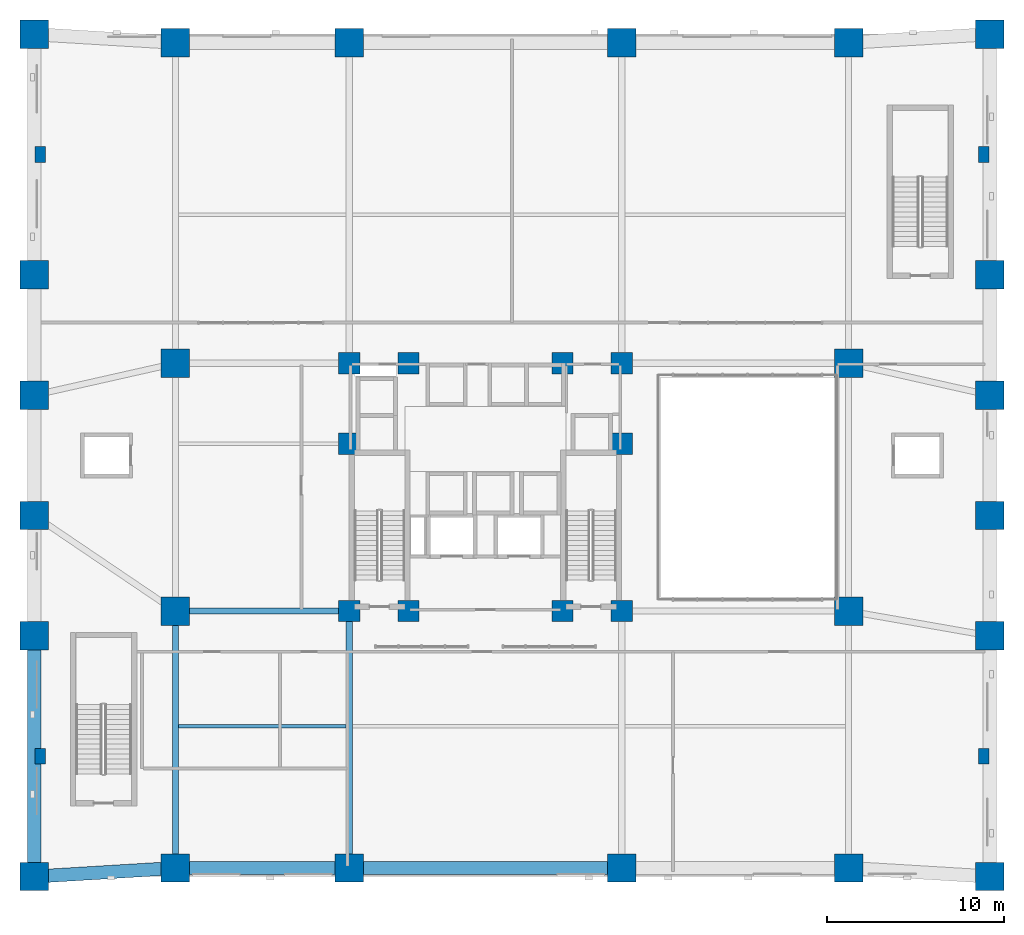
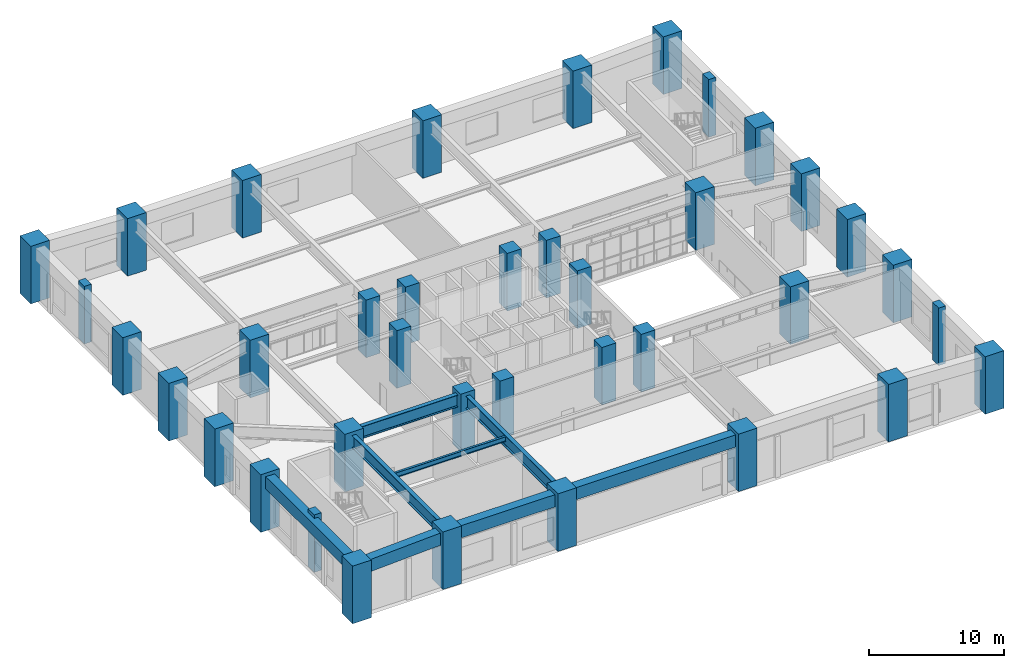
# One storey, part 1 of 14: 38 columns, 8 beams.
"""IFC4 building model written with IfcOpenShell, lengths in metres."""

from ifc_helpers import new_model, si_unit, derived_unit, direction, frame, origin, origin_2d, place, context, subcontext, project, spatial, rectangle, i_section, extrude, material, material_profile, profile_set, type_object, element, save


model = new_model("IFC4")

# Units and contexts
model_context = context("Model", 3, precision=1e-05, world=origin(), true_north=direction((0.0, 1.0)))
body_context = subcontext(model_context, "Body", "Model", "MODEL_VIEW")
ifc_project = project(units=[si_unit("LENGTHUNIT", "METRE"), si_unit("AREAUNIT", "SQUARE_METRE"), si_unit("VOLUMEUNIT", "CUBIC_METRE"), si_unit("PLANEANGLEUNIT", "RADIAN"), si_unit("MASSUNIT", "GRAM", prefix="KILO"), derived_unit("THERMALTRANSMITTANCEUNIT", [(si_unit("MASSUNIT", "GRAM", prefix="KILO"), 1), (si_unit("TIMEUNIT", "SECOND"), -3), (si_unit("THERMODYNAMICTEMPERATUREUNIT", "KELVIN"), -1)])], contexts=[model_context])

# Site, building, storey
site_placement = place(None, origin())
site = spatial("IfcSite", under=ifc_project, at=site_placement, CompositionType="ELEMENT")
building_placement = place(site_placement, origin())
building = spatial("IfcBuilding", under=site, at=building_placement, Name="Korrvale Station Residences", CompositionType="ELEMENT")
storey_placement = place(building_placement, frame((0.0, 0.0, 6.0)))
storey = spatial("IfcBuildingStorey", under=building, at=storey_placement, Name="L01", CompositionType="ELEMENT", Elevation=6.0)

# Columns
ifc_material_1 = material(Name="Concrete C70/85", Category="concrete")
ifc_material_profile_1 = material_profile(ifc_material_1, rectangle(XDim=1.199951171875, YDim=1.199951171875, at=origin_2d()), Name="RC1200x1200")
ifc_profile_set_1 = profile_set([ifc_material_profile_1], Name="Concrete C70/85")
column_type_1 = type_object("IfcColumnType", Name="COL-C-RC1200x1200-C7085", PredefinedType="COLUMN", material=ifc_profile_set_1)
for number, where, z_axis, x_axis, name in (
    (1, (17.800048828125, 15.0, 0.0), (0.0, 0.0, 1.0), (1.0, 0.0, 0.0), "L01 Core Column 25"),
    (2, (21.14990234375, 15.0, 0.0), (0.0, 0.0, 1.0), (1.0, 0.0, 0.0), "L01 Core Column 26"),
    (3, (29.85009765625, 15.0, 0.0), (0.0, 0.0, 1.0), (1.0, 0.0, 0.0), "L01 Core Column 27"),
    (4, (33.199951171875, 15.0, 0.0), (0.0, 0.0, 1.0), (1.0, 0.0, 0.0), "L01 Core Column 28"),
    (5, (17.800048828125, 29.0, 0.0), (0.0, 0.0, 1.0), (1.0, 0.0, 0.0), "L01 Core Column 29"),
    (6, (21.14990234375, 29.0, 0.0), (0.0, 0.0, 1.0), (1.0, 0.0, 0.0), "L01 Core Column 30"),
    (7, (29.85009765625, 29.0, 0.0), (0.0, 0.0, 1.0), (1.0, 0.0, 0.0), "L01 Core Column 31"),
    (8, (33.199951171875, 29.0, 0.0), (0.0, 0.0, 1.0), (1.0, 0.0, 0.0), "L01 Core Column 32"),
    (9, (17.800048828125, 24.449951171875, 0.0), (0.0, 0.0, 1.0), (1.0, 0.0, 0.0), "L01 Core Column 33"),
    (10, (33.199951171875, 24.449951171875, 0.0), (0.0, 0.0, 1.0), (1.0, 0.0, 0.0), "L01 Core Column 34"),
):
    element("IfcColumn", number, at=place(storey_placement, frame(where, z_axis=z_axis, x_axis=x_axis)), inside=storey, type_object=column_type_1, Name=name, PredefinedType="COLUMN", context=body_context, shape_type="SweptSolid", body=[
        extrude(rectangle(XDim=1.199951171875, YDim=1.199951171875, at=origin_2d()), origin(), (0.0, 0.0, 1.0), 5.199951171875),
    ])
ifc_material_profile_2 = material_profile(ifc_material_1, rectangle(XDim=1.60009765625, YDim=1.60009765625, at=origin_2d()), Name="RC1600x1600")
ifc_profile_set_2 = profile_set([ifc_material_profile_2], Name="Concrete C70/85")
column_type_2 = type_object("IfcColumnType", Name="COL-C-RC1600x1600-C7085", PredefinedType="COLUMN", material=ifc_profile_set_2)
for number, where, z_axis, x_axis, name in (
    (11, (0.0, 0.0, 0.0), (0.0, 0.0, 1.0), (1.0, 0.0, 0.0), "L01 Station Mega-Column 01"),
    (12, (0.0, 13.60009765625, 0.0), (0.0, 0.0, 1.0), (1.0, 0.0, 0.0), "L01 Station Mega-Column 02"),
    (13, (0.0, 20.39990234375, 0.0), (0.0, 0.0, 1.0), (1.0, 0.0, 0.0), "L01 Station Mega-Column 03"),
    (14, (0.0, 27.199951171875, 0.0), (0.0, 0.0, 1.0), (1.0, 0.0, 0.0), "L01 Station Mega-Column 04"),
    (15, (0.0, 34.0, 0.0), (0.0, 0.0, 1.0), (1.0, 0.0, 0.0), "L01 Station Mega-Column 05"),
    (16, (0.0, 47.60009765625, 0.0), (0.0, 0.0, 1.0), (1.0, 0.0, 0.0), "L01 Station Mega-Column 06"),
    (17, (54.0, 0.0, 0.0), (0.0, 0.0, 1.0), (1.0, 0.0, 0.0), "L01 Station Mega-Column 07"),
    (18, (54.0, 13.60009765625, 0.0), (0.0, 0.0, 1.0), (1.0, 0.0, 0.0), "L01 Station Mega-Column 08"),
    (19, (54.0, 20.39990234375, 0.0), (0.0, 0.0, 1.0), (1.0, 0.0, 0.0), "L01 Station Mega-Column 09"),
    (20, (54.0, 27.199951171875, 0.0), (0.0, 0.0, 1.0), (1.0, 0.0, 0.0), "L01 Station Mega-Column 10"),
    (21, (54.0, 34.0, 0.0), (0.0, 0.0, 1.0), (1.0, 0.0, 0.0), "L01 Station Mega-Column 11"),
    (22, (54.0, 47.60009765625, 0.0), (0.0, 0.0, 1.0), (1.0, 0.0, 0.0), "L01 Station Mega-Column 12"),
    (23, (7.97998046875, 0.47998046875, 0.0), (0.0, 0.0, 1.0), (1.0, 0.0, 0.0), "L01 Station Mega-Column 13"),
    (24, (7.97998046875, 15.0, 0.0), (0.0, 0.0, 1.0), (1.0, 0.0, 0.0), "L01 Station Mega-Column 14"),
    (25, (7.97998046875, 29.0, 0.0), (0.0, 0.0, 1.0), (1.0, 0.0, 0.0), "L01 Station Mega-Column 15"),
    (26, (7.97998046875, 47.1201171875, 0.0), (0.0, 0.0, 1.0), (1.0, 0.0, 0.0), "L01 Station Mega-Column 16"),
    (27, (46.02001953125, 0.47998046875, 0.0), (0.0, 0.0, 1.0), (1.0, 0.0, 0.0), "L01 Station Mega-Column 17"),
    (28, (46.02001953125, 15.0, 0.0), (0.0, 0.0, 1.0), (1.0, 0.0, 0.0), "L01 Station Mega-Column 18"),
    (29, (46.02001953125, 29.0, 0.0), (0.0, 0.0, 1.0), (1.0, 0.0, 0.0), "L01 Station Mega-Column 19"),
    (30, (46.02001953125, 47.1201171875, 0.0), (0.0, 0.0, 1.0), (1.0, 0.0, 0.0), "L01 Station Mega-Column 20"),
    (31, (17.800048828125, 0.47998046875, 0.0), (0.0, 0.0, 1.0), (1.0, 0.0, 0.0), "L01 Station Mega-Column 21"),
    (32, (17.800048828125, 47.1201171875, 0.0), (0.0, 0.0, 1.0), (1.0, 0.0, 0.0), "L01 Station Mega-Column 22"),
    (33, (33.199951171875, 0.47998046875, 0.0), (0.0, 0.0, 1.0), (1.0, 0.0, 0.0), "L01 Station Mega-Column 23"),
    (34, (33.199951171875, 47.1201171875, 0.0), (0.0, 0.0, 1.0), (1.0, 0.0, 0.0), "L01 Station Mega-Column 24"),
):
    element("IfcColumn", number, at=place(storey_placement, frame(where, z_axis=z_axis, x_axis=x_axis)), inside=storey, type_object=column_type_2, Name=name, PredefinedType="COLUMN", context=body_context, shape_type="SweptSolid", body=[
        extrude(rectangle(XDim=1.60009765625, YDim=1.60009765625, at=origin_2d()), origin(), (0.0, 0.0, 1.0), 5.199951171875),
    ])
ifc_material_profile_3 = material_profile(ifc_material_1, rectangle(XDim=0.60009765625, YDim=0.89990234375, at=origin_2d()), Name="RC600x900")
ifc_profile_set_3 = profile_set([ifc_material_profile_3], Name="Concrete C70/85")
column_type_3 = type_object("IfcColumnType", Name="COL-PIL-RC600x900-C7085", PredefinedType="PILASTER", material=ifc_profile_set_3)
for number, where, z_axis, x_axis, name in (
    (35, (0.35009765625, 6.800048828125, 0.0), (0.0, 0.0, 1.0), (1.0, 0.0, 0.0), "L01 Concourse Portal Wall Pilaster 1"),
    (36, (0.35009765625, 40.800048828125, 0.0), (0.0, 0.0, 1.0), (1.0, 0.0, 0.0), "L01 Concourse Portal Wall Pilaster 2"),
    (37, (53.64990234375, 6.800048828125, 0.0), (0.0, 0.0, 1.0), (1.0, 0.0, 0.0), "L01 Concourse Portal Wall Pilaster 3"),
    (38, (53.64990234375, 40.800048828125, 0.0), (0.0, 0.0, 1.0), (1.0, 0.0, 0.0), "L01 Concourse Portal Wall Pilaster 4"),
):
    element("IfcColumn", number, at=place(storey_placement, frame(where, z_axis=z_axis, x_axis=x_axis)), inside=storey, type_object=column_type_3, Name=name, PredefinedType="PILASTER", context=body_context, shape_type="SweptSolid", body=[
        extrude(rectangle(XDim=0.60009765625, YDim=0.89990234375, at=origin_2d()), origin(), (0.0, 0.0, 1.0), 5.199951171875),
    ])

# Beams
ifc_material_2 = material(Name="Steel S355", Category="steel")
ifc_material_profile_4 = material_profile(ifc_material_2, i_section(OverallWidth=0.35009765625, OverallDepth=1.10009765625, WebThickness=0.01611328125, FlangeThickness=0.034912109375, FilletRadius=0.01806640625, at=origin_2d()), Name="WWF1100x351")
ifc_profile_set_4 = profile_set([ifc_material_profile_4], Name="Steel S355")
beam_type_1 = type_object("IfcBeamType", Name="BM-BM-WWF1100x351-S355", PredefinedType="BEAM", material=ifc_profile_set_4)
beam_1_placement = place(storey_placement, frame((7.97998046875, 0.47998046875, 4.330078125), z_axis=(0.0, 1.0, 0.0), x_axis=(-1.0, 0.0, 0.0)))
element("IfcBeam", 39, at=beam_1_placement, inside=storey, type_object=beam_type_1, Name="L01 Station Primary Girder 01", PredefinedType="BEAM", context=body_context, shape_type="SweptSolid", body=[
    extrude(i_section(OverallWidth=0.35009765625, OverallDepth=1.10009765625, WebThickness=0.01611328125, FlangeThickness=0.034912109375, FilletRadius=0.01806640625, at=origin_2d()), origin(), (0.0, 0.0, 1.0), 14.52001953125),
])
beam_2_placement = place(storey_placement, frame((7.97998046875, 15.0, 4.330078125), z_axis=(1.0, 0.0, 0.0), x_axis=(0.0, 1.0, 0.0)))
element("IfcBeam", 40, at=beam_2_placement, inside=storey, type_object=beam_type_1, Name="L01 Station Primary Girder 07", PredefinedType="BEAM", context=body_context, shape_type="SweptSolid", body=[
    extrude(i_section(OverallWidth=0.35009765625, OverallDepth=1.10009765625, WebThickness=0.01611328125, FlangeThickness=0.034912109375, FilletRadius=0.01806640625, at=origin_2d()), origin(), (0.0, 0.0, 1.0), 9.820068359375),
])
beam_3_placement = place(storey_placement, frame((17.800048828125, 0.47998046875, 4.330078125), z_axis=(0.0, 1.0, 0.0), x_axis=(-1.0, 0.0, 0.0)))
element("IfcBeam", 41, at=beam_3_placement, inside=storey, type_object=beam_type_1, Name="L01 Station Primary Girder 17", PredefinedType="BEAM", context=body_context, shape_type="SweptSolid", body=[
    extrude(i_section(OverallWidth=0.35009765625, OverallDepth=1.10009765625, WebThickness=0.01611328125, FlangeThickness=0.034912109375, FilletRadius=0.01806640625, at=origin_2d()), origin(), (0.0, 0.0, 1.0), 14.52001953125),
])
ifc_material_profile_5 = material_profile(ifc_material_2, i_section(OverallWidth=0.18994140625, OverallDepth=0.45703125, WebThickness=0.009033203125, FlangeThickness=0.014404296875, FilletRadius=0.01611328125, at=origin_2d()), Name="W460x74")
ifc_profile_set_5 = profile_set([ifc_material_profile_5], Name="Steel S355")
beam_type_2 = type_object("IfcBeamType", Name="BM-JST-W460x74-S355", PredefinedType="JOIST", material=ifc_profile_set_5)
beam_4_placement = place(storey_placement, frame((8.155029296875, 8.5, 4.651611328125), z_axis=(1.0, 0.0, 0.0), x_axis=(0.0, 1.0, 0.0)))
element("IfcBeam", 42, at=beam_4_placement, inside=storey, type_object=beam_type_2, Name="L01 Station Floor Joist 05", PredefinedType="JOIST", context=body_context, shape_type="SweptSolid", body=[
    extrude(i_section(OverallWidth=0.18994140625, OverallDepth=0.45703125, WebThickness=0.009033203125, FlangeThickness=0.014404296875, FilletRadius=0.01611328125, at=origin_2d()), origin(), (0.0, 0.0, 1.0), 9.469970703125),
])
ifc_material_profile_6 = material_profile(ifc_material_1, rectangle(XDim=0.75, YDim=1.10009765625, at=origin_2d()), Name="RCB750x1100")
ifc_profile_set_6 = profile_set([ifc_material_profile_6], Name="Concrete C70/85")
beam_type_3 = type_object("IfcBeamType", Name="BM-SPB-RCB750x1100-C7085", PredefinedType="SPANDREL", material=ifc_profile_set_6)
beam_5_placement = place(storey_placement, frame((0.0, 0.0, 4.330078125), z_axis=(0.0, 1.0, 0.0), x_axis=(-1.0, 0.0, 0.0)))
element("IfcBeam", 43, at=beam_5_placement, inside=storey, type_object=beam_type_3, Name="L01 Station Spandrel Beam 01", PredefinedType="SPANDREL", context=body_context, shape_type="SweptSolid", body=[
    extrude(rectangle(XDim=0.75, YDim=1.10009765625, at=origin_2d()), origin(), (0.0, 0.0, 1.0), 13.60009765625),
])
beam_6_placement = place(storey_placement, frame((0.0, 0.0, 4.330078125), z_axis=(0.998195997903, 0.060039568374, 0.0), x_axis=(-0.060039568374, 0.998195997903, 0.0)))
element("IfcBeam", 44, at=beam_6_placement, inside=storey, type_object=beam_type_3, Name="L01 Station Spandrel Beam 11", PredefinedType="SPANDREL", context=body_context, shape_type="SweptSolid", body=[
    extrude(rectangle(XDim=0.75, YDim=1.10009765625, at=origin_2d()), origin(), (0.0, 0.0, 1.0), 7.994384765625),
])
beam_7_placement = place(storey_placement, frame((7.97998046875, 0.47998046875, 4.330078125), z_axis=(1.0, 0.0, 0.0), x_axis=(0.0, 1.0, 0.0)))
element("IfcBeam", 45, at=beam_7_placement, inside=storey, type_object=beam_type_3, Name="L01 Station Spandrel Beam 12", PredefinedType="SPANDREL", context=body_context, shape_type="SweptSolid", body=[
    extrude(rectangle(XDim=0.75, YDim=1.10009765625, at=origin_2d()), origin(), (0.0, 0.0, 1.0), 9.820068359375),
])
beam_8_placement = place(storey_placement, frame((17.800048828125, 0.47998046875, 4.330078125), z_axis=(1.0, 0.0, 0.0), x_axis=(0.0, 1.0, 0.0)))
element("IfcBeam", 46, at=beam_8_placement, inside=storey, type_object=beam_type_3, Name="L01 Station Spandrel Beam 13", PredefinedType="SPANDREL", context=body_context, shape_type="SweptSolid", body=[
    extrude(rectangle(XDim=0.75, YDim=1.10009765625, at=origin_2d()), origin(), (0.0, 0.0, 1.0), 15.39990234375),
])

save(model, "model.ifc")
